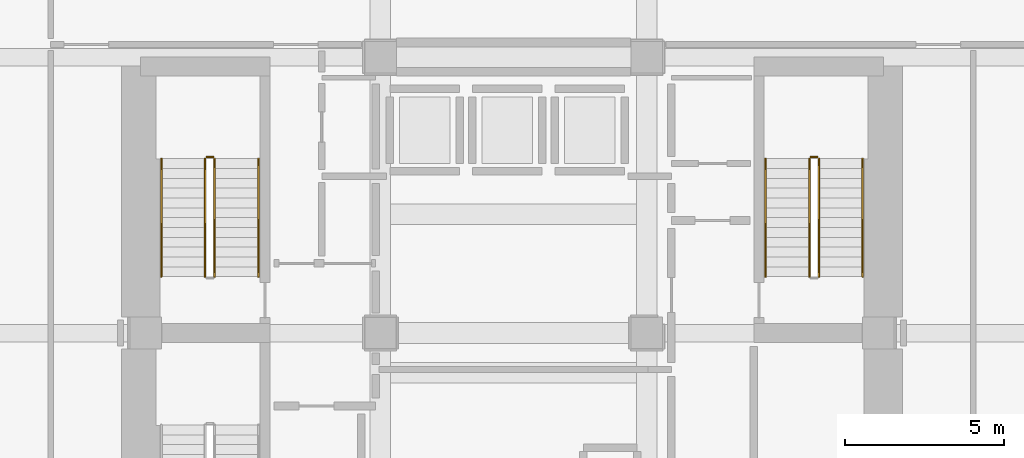
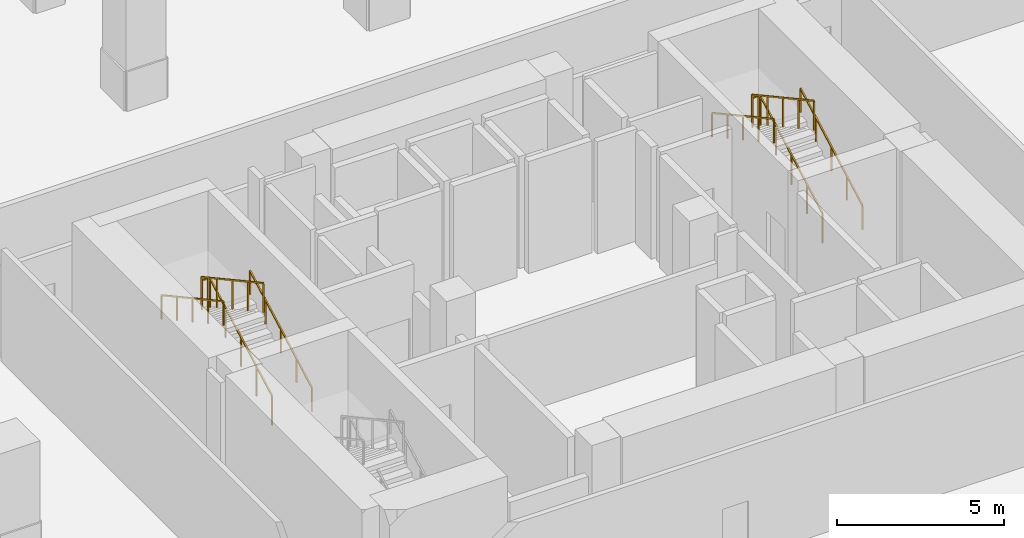
# One storey, part 13 of 15: 10 railings.
"""IFC4 building model written with IfcOpenShell, lengths in metres."""

from ifc_helpers import new_model, si_unit, direction, frame, origin, origin_2d, place, context, subcontext, project, spatial, rectangle, extrude, material, type_object, element, save


model = new_model("IFC4")

# Units and contexts
model_context = context("Model", 3, precision=1e-05, world=origin(), true_north=direction((0.0, 1.0)))
body_context = subcontext(model_context, "Body", "Model", "MODEL_VIEW")
ifc_project = project(units=[si_unit("LENGTHUNIT", "METRE"), si_unit("AREAUNIT", "SQUARE_METRE"), si_unit("VOLUMEUNIT", "CUBIC_METRE"), si_unit("PLANEANGLEUNIT", "RADIAN"), si_unit("MASSUNIT", "GRAM", prefix="KILO")], contexts=[model_context])

# Site, building, storey
site_placement = place(None, origin())
site = spatial("IfcSite", under=ifc_project, at=site_placement, CompositionType="ELEMENT")
building_placement = place(site_placement, origin())
building = spatial("IfcBuilding", under=site, at=building_placement, Name="Solanera Arch Residences", CompositionType="ELEMENT")
storey_placement = place(building_placement, frame((0.0, 0.0, -8.800048828125)))
storey = spatial("IfcBuildingStorey", under=building, at=storey_placement, Name="B02", CompositionType="ELEMENT", Elevation=-8.800048828125)

# Railings
ifc_material_1 = material(Name="Steel S355 (ASTM A992 / A572 Grade 50)", Category="steel")
railing_type_1 = type_object("IfcRailingType", Name="Stair Guardrail GR-1100", PredefinedType="GUARDRAIL", material=ifc_material_1)
railing_1_placement = place(storey_placement, frame((15.570068359375, 32.47998046875, 0.154296875)))
element("IfcRailing", 1, at=railing_1_placement, inside=storey, type_object=railing_type_1, Name="B02 ST-T1 stair guard 1", PredefinedType="GUARDRAIL", context=body_context, shape_type="SweptSolid", body=[
    extrude(rectangle(XDim=0.048095703125, YDim=0.048095703125, at=origin_2d()), frame((0.0, 0.0, 1.076171875), z_axis=(0.0, 0.877728207833, 0.479158839191), x_axis=(-1.0, 0.0, 0.0)), (0.0, 0.0, 1.0), 4.23828125),
    extrude(rectangle(XDim=0.0419921875, YDim=0.0419921875, at=origin_2d()), origin(), (0.0, 0.0, 1.0), 1.052001953125),
    extrude(rectangle(XDim=0.0419921875, YDim=0.0419921875, at=origin_2d()), frame((0.0, 0.929931640625, 0.5078125)), (0.0, 0.0, 1.0), 1.052001953125),
    extrude(rectangle(XDim=0.0419921875, YDim=0.0419921875, at=origin_2d()), frame((0.0, 1.85986328125, 1.015380859375)), (0.0, 0.0, 1.0), 1.052001953125),
    extrude(rectangle(XDim=0.0419921875, YDim=0.0419921875, at=origin_2d()), frame((0.0, 2.7900390625, 1.52294921875)), (0.0, 0.0, 1.0), 1.052001953125),
    extrude(rectangle(XDim=0.0419921875, YDim=0.0419921875, at=origin_2d()), frame((0.0, 3.719970703125, 2.03076171875)), (0.0, 0.0, 1.0), 1.052001953125),
])
railing_2_placement = place(storey_placement, frame((15.52001953125, 36.25, 2.18505859375)))
element("IfcRailing", 2, at=railing_2_placement, inside=storey, type_object=railing_type_1, Name="B02 ST-T1 stair guard 2", PredefinedType="GUARDRAIL", context=body_context, shape_type="SweptSolid", body=[
    extrude(rectangle(XDim=0.048095703125, YDim=0.048095703125, at=origin_2d()), frame((0.0, 0.0, 1.076171875), z_axis=(-1.0, 0.0, 0.0), x_axis=(0.0, -1.0, 0.0)), (0.0, 0.0, 1.0), 0.199951171875),
    extrude(rectangle(XDim=0.0419921875, YDim=0.0419921875, at=origin_2d()), origin(), (0.0, 0.0, 1.0), 1.052001953125),
    extrude(rectangle(XDim=0.0419921875, YDim=0.0419921875, at=origin_2d()), frame((-0.199951171875, 0.0, 0.0)), (0.0, 0.0, 1.0), 1.052001953125),
])
railing_3_placement = place(storey_placement, frame((15.27001953125, 36.199951171875, 2.354248046875)))
element("IfcRailing", 3, at=railing_3_placement, inside=storey, type_object=railing_type_1, Name="B02 ST-T1 stair guard 3", PredefinedType="GUARDRAIL", context=body_context, shape_type="SweptSolid", body=[
    extrude(rectangle(XDim=0.048095703125, YDim=0.048095703125, at=origin_2d()), frame((0.0, 0.0, 1.076171875), z_axis=(0.0, -0.877728207833, 0.479158839191), x_axis=(1.0, 0.0, 0.0)), (0.0, 0.0, 1.0), 4.23828125),
    extrude(rectangle(XDim=0.0419921875, YDim=0.0419921875, at=origin_2d()), origin(), (0.0, 0.0, 1.0), 1.052001953125),
    extrude(rectangle(XDim=0.0419921875, YDim=0.0419921875, at=origin_2d()), frame((0.0, -0.929931640625, 0.5078125)), (0.0, 0.0, 1.0), 1.052001953125),
    extrude(rectangle(XDim=0.0419921875, YDim=0.0419921875, at=origin_2d()), frame((0.0, -1.85986328125, 1.015380859375)), (0.0, 0.0, 1.0), 1.052001953125),
    extrude(rectangle(XDim=0.0419921875, YDim=0.0419921875, at=origin_2d()), frame((0.0, -2.7900390625, 1.52294921875)), (0.0, 0.0, 1.0), 1.052001953125),
    extrude(rectangle(XDim=0.0419921875, YDim=0.0419921875, at=origin_2d()), frame((0.0, -3.719970703125, 2.03076171875)), (0.0, 0.0, 1.0), 1.052001953125),
])
railing_4_placement = place(storey_placement, frame((34.6298828125, 32.47998046875, 0.154296875)))
element("IfcRailing", 4, at=railing_4_placement, inside=storey, type_object=railing_type_1, Name="B02 ST-T2 stair guard 1", PredefinedType="GUARDRAIL", context=body_context, shape_type="SweptSolid", body=[
    extrude(rectangle(XDim=0.048095703125, YDim=0.048095703125, at=origin_2d()), frame((0.0, 0.0, 1.076171875), z_axis=(0.0, 0.877728207833, 0.479158839191), x_axis=(-1.0, 0.0, 0.0)), (0.0, 0.0, 1.0), 4.23828125),
    extrude(rectangle(XDim=0.0419921875, YDim=0.0419921875, at=origin_2d()), origin(), (0.0, 0.0, 1.0), 1.052001953125),
    extrude(rectangle(XDim=0.0419921875, YDim=0.0419921875, at=origin_2d()), frame((0.0, 0.929931640625, 0.5078125)), (0.0, 0.0, 1.0), 1.052001953125),
    extrude(rectangle(XDim=0.0419921875, YDim=0.0419921875, at=origin_2d()), frame((0.0, 1.85986328125, 1.015380859375)), (0.0, 0.0, 1.0), 1.052001953125),
    extrude(rectangle(XDim=0.0419921875, YDim=0.0419921875, at=origin_2d()), frame((0.0, 2.7900390625, 1.52294921875)), (0.0, 0.0, 1.0), 1.052001953125),
    extrude(rectangle(XDim=0.0419921875, YDim=0.0419921875, at=origin_2d()), frame((0.0, 3.719970703125, 2.03076171875)), (0.0, 0.0, 1.0), 1.052001953125),
])
railing_5_placement = place(storey_placement, frame((34.580078125, 36.25, 2.18505859375)))
element("IfcRailing", 5, at=railing_5_placement, inside=storey, type_object=railing_type_1, Name="B02 ST-T2 stair guard 2", PredefinedType="GUARDRAIL", context=body_context, shape_type="SweptSolid", body=[
    extrude(rectangle(XDim=0.048095703125, YDim=0.048095703125, at=origin_2d()), frame((0.0, 0.0, 1.076171875), z_axis=(-1.0, 0.0, 0.0), x_axis=(0.0, -1.0, 0.0)), (0.0, 0.0, 1.0), 0.2001953125),
    extrude(rectangle(XDim=0.0419921875, YDim=0.0419921875, at=origin_2d()), origin(), (0.0, 0.0, 1.0), 1.052001953125),
    extrude(rectangle(XDim=0.0419921875, YDim=0.0419921875, at=origin_2d()), frame((-0.2001953125, 0.0, 0.0)), (0.0, 0.0, 1.0), 1.052001953125),
])
railing_6_placement = place(storey_placement, frame((34.330078125, 36.199951171875, 2.354248046875)))
element("IfcRailing", 6, at=railing_6_placement, inside=storey, type_object=railing_type_1, Name="B02 ST-T2 stair guard 3", PredefinedType="GUARDRAIL", context=body_context, shape_type="SweptSolid", body=[
    extrude(rectangle(XDim=0.048095703125, YDim=0.048095703125, at=origin_2d()), frame((0.0, 0.0, 1.076171875), z_axis=(0.0, -0.877728207833, 0.479158839191), x_axis=(1.0, 0.0, 0.0)), (0.0, 0.0, 1.0), 4.23828125),
    extrude(rectangle(XDim=0.0419921875, YDim=0.0419921875, at=origin_2d()), origin(), (0.0, 0.0, 1.0), 1.052001953125),
    extrude(rectangle(XDim=0.0419921875, YDim=0.0419921875, at=origin_2d()), frame((0.0, -0.929931640625, 0.5078125)), (0.0, 0.0, 1.0), 1.052001953125),
    extrude(rectangle(XDim=0.0419921875, YDim=0.0419921875, at=origin_2d()), frame((0.0, -1.85986328125, 1.015380859375)), (0.0, 0.0, 1.0), 1.052001953125),
    extrude(rectangle(XDim=0.0419921875, YDim=0.0419921875, at=origin_2d()), frame((0.0, -2.7900390625, 1.52294921875)), (0.0, 0.0, 1.0), 1.052001953125),
    extrude(rectangle(XDim=0.0419921875, YDim=0.0419921875, at=origin_2d()), frame((0.0, -3.719970703125, 2.03076171875)), (0.0, 0.0, 1.0), 1.052001953125),
])
ifc_material_2 = material(Name="Steel S355 (ASTM A992 / A572 Grade 50)", Category="steel")
railing_type_2 = type_object("IfcRailingType", Name="Stair Wall Handrail HR-920", PredefinedType="HANDRAIL", material=ifc_material_2)
railing_7_placement = place(storey_placement, frame((16.949951171875, 32.47998046875, 0.169189453125)))
element("IfcRailing", 7, at=railing_7_placement, inside=storey, type_object=railing_type_2, Name="B02 ST-T1 stair handrail 1", PredefinedType="HANDRAIL", context=body_context, shape_type="SweptSolid", body=[
    extrude(rectangle(XDim=0.048095703125, YDim=0.048095703125, at=origin_2d()), frame((0.0, 0.0, 0.8759765625), z_axis=(0.0, 0.877728207833, 0.479158839191), x_axis=(-1.0, 0.0, 0.0)), (0.0, 0.0, 1.0), 4.23828125),
    extrude(rectangle(XDim=0.0419921875, YDim=0.0419921875, at=origin_2d()), origin(), (0.0, 0.0, 1.0), 0.851806640625),
    extrude(rectangle(XDim=0.0419921875, YDim=0.0419921875, at=origin_2d()), frame((0.0, 0.929931640625, 0.5078125)), (0.0, 0.0, 1.0), 0.851806640625),
    extrude(rectangle(XDim=0.0419921875, YDim=0.0419921875, at=origin_2d()), frame((0.0, 1.85986328125, 1.015380859375)), (0.0, 0.0, 1.0), 0.851806640625),
    extrude(rectangle(XDim=0.0419921875, YDim=0.0419921875, at=origin_2d()), frame((0.0, 2.7900390625, 1.52294921875)), (0.0, 0.0, 1.0), 0.851806640625),
    extrude(rectangle(XDim=0.0419921875, YDim=0.0419921875, at=origin_2d()), frame((0.0, 3.719970703125, 2.03076171875)), (0.0, 0.0, 1.0), 0.851806640625),
])
railing_8_placement = place(storey_placement, frame((13.889892578125, 36.199951171875, 2.369384765625)))
element("IfcRailing", 8, at=railing_8_placement, inside=storey, type_object=railing_type_2, Name="B02 ST-T1 stair handrail 2", PredefinedType="HANDRAIL", context=body_context, shape_type="SweptSolid", body=[
    extrude(rectangle(XDim=0.048095703125, YDim=0.048095703125, at=origin_2d()), frame((0.0, 0.0, 0.8759765625), z_axis=(0.0, -0.877728207833, 0.479158839191), x_axis=(1.0, 0.0, 0.0)), (0.0, 0.0, 1.0), 4.23828125),
    extrude(rectangle(XDim=0.0419921875, YDim=0.0419921875, at=origin_2d()), origin(), (0.0, 0.0, 1.0), 0.851806640625),
    extrude(rectangle(XDim=0.0419921875, YDim=0.0419921875, at=origin_2d()), frame((0.0, -0.929931640625, 0.5078125)), (0.0, 0.0, 1.0), 0.851806640625),
    extrude(rectangle(XDim=0.0419921875, YDim=0.0419921875, at=origin_2d()), frame((0.0, -1.85986328125, 1.015380859375)), (0.0, 0.0, 1.0), 0.851806640625),
    extrude(rectangle(XDim=0.0419921875, YDim=0.0419921875, at=origin_2d()), frame((0.0, -2.7900390625, 1.52294921875)), (0.0, 0.0, 1.0), 0.851806640625),
    extrude(rectangle(XDim=0.0419921875, YDim=0.0419921875, at=origin_2d()), frame((0.0, -3.719970703125, 2.03076171875)), (0.0, 0.0, 1.0), 0.851806640625),
])
railing_9_placement = place(storey_placement, frame((36.010009765625, 32.47998046875, 0.169189453125)))
element("IfcRailing", 9, at=railing_9_placement, inside=storey, type_object=railing_type_2, Name="B02 ST-T2 stair handrail 1", PredefinedType="HANDRAIL", context=body_context, shape_type="SweptSolid", body=[
    extrude(rectangle(XDim=0.048095703125, YDim=0.048095703125, at=origin_2d()), frame((0.0, 0.0, 0.8759765625), z_axis=(0.0, 0.877728207833, 0.479158839191), x_axis=(-1.0, 0.0, 0.0)), (0.0, 0.0, 1.0), 4.23828125),
    extrude(rectangle(XDim=0.0419921875, YDim=0.0419921875, at=origin_2d()), origin(), (0.0, 0.0, 1.0), 0.851806640625),
    extrude(rectangle(XDim=0.0419921875, YDim=0.0419921875, at=origin_2d()), frame((0.0, 0.929931640625, 0.5078125)), (0.0, 0.0, 1.0), 0.851806640625),
    extrude(rectangle(XDim=0.0419921875, YDim=0.0419921875, at=origin_2d()), frame((0.0, 1.85986328125, 1.015380859375)), (0.0, 0.0, 1.0), 0.851806640625),
    extrude(rectangle(XDim=0.0419921875, YDim=0.0419921875, at=origin_2d()), frame((0.0, 2.7900390625, 1.52294921875)), (0.0, 0.0, 1.0), 0.851806640625),
    extrude(rectangle(XDim=0.0419921875, YDim=0.0419921875, at=origin_2d()), frame((0.0, 3.719970703125, 2.03076171875)), (0.0, 0.0, 1.0), 0.851806640625),
])
railing_10_placement = place(storey_placement, frame((32.949951171875, 36.199951171875, 2.369384765625)))
element("IfcRailing", 10, at=railing_10_placement, inside=storey, type_object=railing_type_2, Name="B02 ST-T2 stair handrail 2", PredefinedType="HANDRAIL", context=body_context, shape_type="SweptSolid", body=[
    extrude(rectangle(XDim=0.048095703125, YDim=0.048095703125, at=origin_2d()), frame((0.0, 0.0, 0.8759765625), z_axis=(0.0, -0.877728207833, 0.479158839191), x_axis=(1.0, 0.0, 0.0)), (0.0, 0.0, 1.0), 4.23828125),
    extrude(rectangle(XDim=0.0419921875, YDim=0.0419921875, at=origin_2d()), origin(), (0.0, 0.0, 1.0), 0.851806640625),
    extrude(rectangle(XDim=0.0419921875, YDim=0.0419921875, at=origin_2d()), frame((0.0, -0.929931640625, 0.5078125)), (0.0, 0.0, 1.0), 0.851806640625),
    extrude(rectangle(XDim=0.0419921875, YDim=0.0419921875, at=origin_2d()), frame((0.0, -1.85986328125, 1.015380859375)), (0.0, 0.0, 1.0), 0.851806640625),
    extrude(rectangle(XDim=0.0419921875, YDim=0.0419921875, at=origin_2d()), frame((0.0, -2.7900390625, 1.52294921875)), (0.0, 0.0, 1.0), 0.851806640625),
    extrude(rectangle(XDim=0.0419921875, YDim=0.0419921875, at=origin_2d()), frame((0.0, -3.719970703125, 2.03076171875)), (0.0, 0.0, 1.0), 0.851806640625),
])

save(model, "model.ifc")
